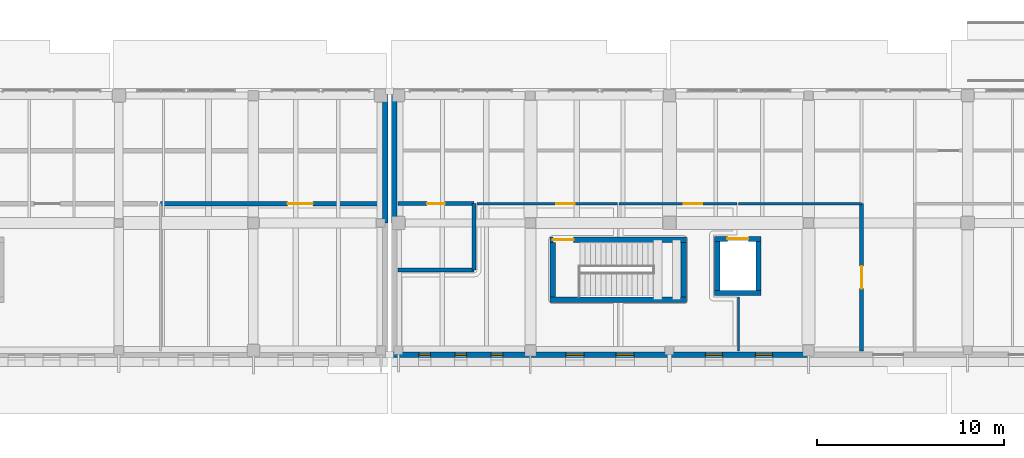
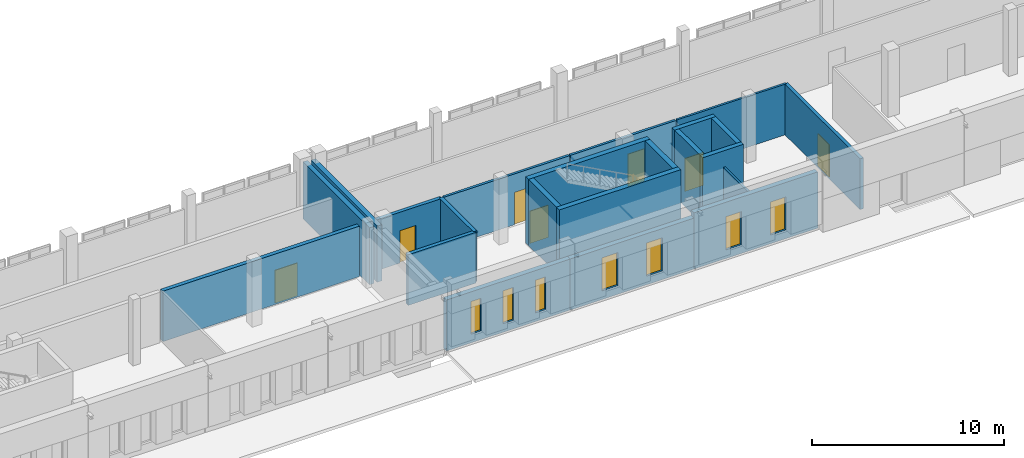
# One storey, part 54 of 77: 22 walls, 7 doors, 7 windows, 14 openings.
"""IFC4 building model written with IfcOpenShell, lengths in metres."""

from ifc_helpers import new_model, si_unit, direction, frame, frame_2d, origin, place, context, subcontext, project, spatial, rectangle, extrude, material, layer, layer_set, type_object, element, fill, save


model = new_model("IFC4")

# Units and contexts
model_context = context("Model", 3, precision=1e-05, world=origin(), true_north=direction((0.0, 1.0)))
body_context = subcontext(model_context, "Body", "Model", "MODEL_VIEW")
ifc_project = project(units=[si_unit("LENGTHUNIT", "METRE"), si_unit("AREAUNIT", "SQUARE_METRE"), si_unit("VOLUMEUNIT", "CUBIC_METRE"), si_unit("PLANEANGLEUNIT", "RADIAN"), si_unit("MASSUNIT", "GRAM", prefix="KILO")], contexts=[model_context])

# Site, building, storey
site_placement = place(None, origin())
site = spatial("IfcSite", under=ifc_project, at=site_placement, CompositionType="ELEMENT")
building_placement = place(site_placement, origin())
building = spatial("IfcBuilding", under=site, at=building_placement, Name="Vardoun Plaza Health Centre", CompositionType="ELEMENT")
storey_placement = place(building_placement, origin())
storey = spatial("IfcBuildingStorey", under=building, at=storey_placement, Name="L00", CompositionType="ELEMENT", Elevation=0.0)

# Walls
ifc_material_1 = material(Name="Concrete C40/50", Category="concrete")
ifc_layer_1 = layer(ifc_material_1, 0.27001953125)
ifc_layer_set_1 = layer_set([ifc_layer_1], Name="Concrete C40/50")
wall_type_1 = type_object("IfcWallType", Name="SW-03", PredefinedType="SHEAR", material=ifc_layer_set_1)
wall_1_placement = place(storey_placement, frame((125.43505859375, 7.949951171875, 0.0), z_axis=(0.0, 0.0, 1.0), x_axis=(-1.0, 0.0, 0.0)))
element("IfcWall", 1, at=wall_1_placement, inside=storey, type_object=wall_type_1, Name="Lift LP-04 L00 Shaft Wall S", PredefinedType="SHEAR", context=body_context, shape_type="SweptSolid", body=[
    extrude(rectangle(XDim=2.469970703125, YDim=0.27001953125, at=frame_2d((1.23486328125, 0.0))), origin(), (0.0, 0.0, 1.0), 4.205078125),
])
wall_2_placement = place(storey_placement, frame((123.10009765625, 8.0849609375, 0.0), z_axis=(0.0, 0.0, 1.0), x_axis=(0.0, 1.0, 0.0)))
element("IfcWall", 2, at=wall_2_placement, inside=storey, type_object=wall_type_1, Name="Lift LP-04 L00 Shaft Wall W", PredefinedType="SHEAR", context=body_context, shape_type="SweptSolid", body=[
    extrude(rectangle(XDim=2.630126953125, YDim=0.27001953125, at=frame_2d((1.31494140625, 0.0))), origin(), (0.0, 0.0, 1.0), 4.205078125),
])

# Wall, opening, door
wall_3_placement = place(storey_placement, frame((122.965087890625, 10.85009765625, 0.0), z_axis=(0.0, 0.0, 1.0), x_axis=(1.0, 0.0, 0.0)))
wall_3 = element("IfcWall", 3, at=wall_3_placement, inside=storey, type_object=wall_type_1, Name="Lift LP-04 L00 Shaft Wall N", PredefinedType="SHEAR", context=body_context, shape_type="SweptSolid", body=[
    extrude(rectangle(XDim=2.469970703125, YDim=0.27001953125, at=frame_2d((1.23486328125, 0.0))), origin(), (0.0, 0.0, 1.0), 4.205078125),
])
opening_1_placement = place(wall_3_placement, frame((0.675048828125, 0.0, 0.0)))
opening_1 = element("IfcOpeningElement", 4, at=opening_1_placement, cuts=wall_3, Name="Opening LD-LP-04-L00", PredefinedType="OPENING", context=body_context, shape_type="SweptSolid", body=[
    extrude(rectangle(XDim=1.1201171875, YDim=2.10009765625, at=frame_2d((0.56005859375, 1.050048828125))), frame((0.0, 0.135009765625, 0.0), z_axis=(0.0, -1.0, 0.0), x_axis=(1.0, 0.0, 0.0)), (0.0, 0.0, 1.0), 0.27001953125),
])
ifc_material_2 = material(Name="Brushed Stainless Steel Grade 316L", Category="steel")
door_type_1 = type_object("IfcDoorType", Name="LD-01", OperationType="DOUBLE_DOOR_SLIDING", PredefinedType="DOOR", material=ifc_material_2)
door_1_placement = place(opening_1_placement, origin())
door_1 = element("IfcDoor", 5, at=door_1_placement, inside=storey, type_object=door_type_1, Name="Lift LP-04 L00 Sliding Landing Door", OperationType="DOUBLE_DOOR_SLIDING", OverallHeight=2.10009765625, OverallWidth=1.1201171875, PredefinedType="DOOR", context=body_context, shape_type="SweptSolid", body=[
    extrude(rectangle(XDim=1.1201171875, YDim=2.10009765625, at=frame_2d((0.56005859375, 1.050048828125))), frame((0.0, 0.02490234375, 0.0), z_axis=(0.0, -1.0, 0.0), x_axis=(1.0, 0.0, 0.0)), (0.0, 0.0, 1.0), 0.050048828125),
])
fill(opening_1, door_1)

# Walls
wall_4_placement = place(storey_placement, frame((125.300048828125, 10.715087890625, 0.0), z_axis=(0.0, 0.0, 1.0), x_axis=(0.0, -1.0, 0.0)))
element("IfcWall", 6, at=wall_4_placement, inside=storey, type_object=wall_type_1, Name="Lift LP-04 L00 Shaft Wall E", PredefinedType="SHEAR", context=body_context, shape_type="SweptSolid", body=[
    extrude(rectangle(XDim=2.630126953125, YDim=0.27001953125, at=frame_2d((1.31494140625, 0.0))), origin(), (0.0, 0.0, 1.0), 4.205078125),
])
ifc_material_3 = material(Name="Concrete C40/50", Category="concrete")
ifc_layer_2 = layer(ifc_material_3, 0.300048828125)
ifc_layer_set_2 = layer_set([ifc_layer_2], Name="Concrete C40/50")
wall_type_2 = type_object("IfcWallType", Name="SW-01", PredefinedType="SHEAR", material=ifc_layer_set_2)
wall_5_placement = place(storey_placement, frame((121.449951171875, 7.60009765625, 0.0), z_axis=(0.0, 0.0, 1.0), x_axis=(-1.0, 0.0, 0.0)))
element("IfcWall", 7, at=wall_5_placement, inside=storey, type_object=wall_type_2, Name="Core C8 L00 Shear Wall S", PredefinedType="SHEAR", context=body_context, shape_type="SweptSolid", body=[
    extrude(rectangle(XDim=7.300048828125, YDim=0.300048828125, at=frame_2d((3.64990234375, 0.0))), origin(), (0.0, 0.0, 1.0), 4.205078125),
])
wall_6_placement = place(storey_placement, frame((114.300048828125, 7.75, 0.0), z_axis=(0.0, 0.0, 1.0), x_axis=(0.0, 1.0, 0.0)))
element("IfcWall", 8, at=wall_6_placement, inside=storey, type_object=wall_type_2, Name="Core C8 L00 Shear Wall W", PredefinedType="SHEAR", context=body_context, shape_type="SweptSolid", body=[
    extrude(rectangle(XDim=2.89990234375, YDim=0.300048828125, at=frame_2d((1.449951171875, 0.0))), origin(), (0.0, 0.0, 1.0), 4.205078125),
])

# Wall, opening, door
wall_7_placement = place(storey_placement, frame((114.14990234375, 10.800048828125, 0.0), z_axis=(0.0, 0.0, 1.0), x_axis=(1.0, 0.0, 0.0)))
wall_7 = element("IfcWall", 9, at=wall_7_placement, inside=storey, type_object=wall_type_2, Name="Core C8 L00 Shear Wall N", PredefinedType="SHEAR", context=body_context, shape_type="SweptSolid", body=[
    extrude(rectangle(XDim=7.300048828125, YDim=0.300048828125, at=frame_2d((3.64990234375, 0.0))), origin(), (0.0, 0.0, 1.0), 4.205078125),
])
opening_2_placement = place(wall_7_placement, frame((0.159912109375, 0.0, 0.0)))
opening_2 = element("IfcOpeningElement", 10, at=opening_2_placement, cuts=wall_7, Name="Opening SD-C8-L00", PredefinedType="OPENING", context=body_context, shape_type="SweptSolid", body=[
    extrude(rectangle(XDim=1.10009765625, YDim=2.050048828125, at=frame_2d((0.550048828125, 1.02490234375))), frame((0.0, 0.14990234375, 0.0), z_axis=(0.0, -1.0, 0.0), x_axis=(1.0, 0.0, 0.0)), (0.0, 0.0, 1.0), 0.300048828125),
])
ifc_material_4 = material(Name="Brushed Stainless Steel Grade 316L", Category="steel")
door_type_2 = type_object("IfcDoorType", Name="FD-01", OperationType="NOTDEFINED", PredefinedType="DOOR", material=ifc_material_4)
door_2_placement = place(opening_2_placement, origin())
door_2 = element("IfcDoor", 11, at=door_2_placement, inside=storey, type_object=door_type_2, Name="Stair C8 L00 Fire Door", OperationType="SINGLE_SWING_RIGHT", OverallHeight=2.050048828125, OverallWidth=1.10009765625, PredefinedType="DOOR", context=body_context, shape_type="SweptSolid", body=[
    extrude(rectangle(XDim=1.10009765625, YDim=2.050048828125, at=frame_2d((0.550048828125, 1.02490234375))), frame((0.0, 0.02490234375, 0.0), z_axis=(0.0, -1.0, 0.0), x_axis=(1.0, 0.0, 0.0)), (0.0, 0.0, 1.0), 0.050048828125),
])
fill(opening_2, door_2)

# Walls
wall_8_placement = place(storey_placement, frame((121.300048828125, 10.64990234375, 0.0), z_axis=(0.0, 0.0, 1.0), x_axis=(0.0, -1.0, 0.0)))
element("IfcWall", 12, at=wall_8_placement, inside=storey, type_object=wall_type_2, Name="Core C8 L00 Shear Wall E", PredefinedType="SHEAR", context=body_context, shape_type="SweptSolid", body=[
    extrude(rectangle(XDim=2.89990234375, YDim=0.300048828125, at=frame_2d((1.449951171875, 0.0))), origin(), (0.0, 0.0, 1.0), 4.205078125),
])
ifc_material_5 = material(Name="Pale Limestone Concrete C35/45", Category="masonry")
ifc_layer_3 = layer(ifc_material_5, 0.280029296875)
ifc_layer_set_3 = layer_set([ifc_layer_3], Name="Pale Limestone Concrete C35/45")
wall_type_3 = type_object("IfcWallType", Name="EW-05", PredefinedType="STANDARD", material=ifc_layer_set_3)
wall_9_placement = place(storey_placement, frame((105.340087890625, 18.6201171875, 0.0), z_axis=(0.0, 0.0, 1.0), x_axis=(0.0, -1.0, 0.0)))
element("IfcWall", 13, at=wall_9_placement, inside=storey, type_object=wall_type_3, Name="V4 L00 Exterior Wall EW-V4-324", PredefinedType="STANDARD", context=body_context, shape_type="SweptSolid", body=[
    extrude(rectangle(XDim=6.920166015625, YDim=0.280029296875, at=frame_2d((3.4599609375, 0.0))), origin(), (0.0, 0.0, 1.0), 3.6201171875),
])

# Wall, openings, windows
ifc_material_6 = material(Name="Pale Limestone Concrete C35/45", Category="masonry")
ifc_layer_4 = layer(ifc_material_6, 0.294921875)
ifc_layer_set_4 = layer_set([ifc_layer_4], Name="Pale Limestone Concrete C35/45")
wall_type_4 = type_object("IfcWallType", Name="EW-04", PredefinedType="STANDARD", material=ifc_layer_set_4)
wall_10_placement = place(storey_placement, frame((127.97998046875, 4.6474609375, 0.0), z_axis=(0.0, 0.0, 1.0), x_axis=(-1.0, 0.0, 0.0)))
wall_10 = element("IfcWall", 14, at=wall_10_placement, inside=storey, type_object=wall_type_4, Name="V5 L00 Exterior Wall EW-V5-375", PredefinedType="STANDARD", context=body_context, shape_type="SweptSolid", body=[
    extrude(rectangle(XDim=7.43994140625, YDim=0.294921875, at=frame_2d((3.719970703125, 0.0))), origin(), (0.0, 0.0, 1.0), 3.570068359375),
])
opening_3_placement = place(wall_10_placement, frame((1.9208984375, 0.0, 0.550048828125)))
opening_3 = element("IfcOpeningElement", 15, at=opening_3_placement, cuts=wall_10, Name="Opening W-19-008", PredefinedType="OPENING", context=body_context, shape_type="SweptSolid", body=[
    extrude(rectangle(XDim=0.919921875, YDim=2.10009765625, at=frame_2d((0.4599609375, 1.050048828125))), frame((0.0, 0.1474609375, 0.0), z_axis=(0.0, -1.0, 0.0), x_axis=(1.0, 0.0, 0.0)), (0.0, 0.0, 1.0), 0.294921875),
])
opening_4_placement = place(wall_10_placement, frame((4.59912109375, 0.0, 0.550048828125)))
opening_4 = element("IfcOpeningElement", 16, at=opening_4_placement, cuts=wall_10, Name="Opening W-19-009", PredefinedType="OPENING", context=body_context, shape_type="SweptSolid", body=[
    extrude(rectangle(XDim=0.919921875, YDim=2.10009765625, at=frame_2d((0.4599609375, 1.050048828125))), frame((0.0, 0.1474609375, 0.0), z_axis=(0.0, -1.0, 0.0), x_axis=(1.0, 0.0, 0.0)), (0.0, 0.0, 1.0), 0.294921875),
])
ifc_material_7 = material(Name="Aluminium Alloy EN AW-6063-T6 and Low-E Glass", Category="aluminium")
window_type_1 = type_object("IfcWindowType", Name="W-19", PartitioningType="DOUBLE_PANEL_VERTICAL", PredefinedType="WINDOW", material=ifc_material_7)
window_1_placement = place(opening_3_placement, origin())
window_1 = element("IfcWindow", 17, at=window_1_placement, inside=storey, type_object=window_type_1, Name="V5 L00 Deep-Punched Slot Window W-19-560", OverallHeight=2.10009765625, OverallWidth=0.919921875, PartitioningType="DOUBLE_PANEL_VERTICAL", PredefinedType="WINDOW", context=body_context, shape_type="SweptSolid", body=[
    extrude(rectangle(XDim=0.919921875, YDim=2.10009765625, at=frame_2d((0.4599609375, 1.050048828125))), frame((0.0, 0.030029296875, 0.0), z_axis=(0.0, -1.0, 0.0), x_axis=(1.0, 0.0, 0.0)), (0.0, 0.0, 1.0), 0.06005859375),
])
fill(opening_3, window_1)
window_2_placement = place(opening_4_placement, origin())
window_2 = element("IfcWindow", 18, at=window_2_placement, inside=storey, type_object=window_type_1, Name="V5 L00 Deep-Punched Slot Window W-19-561", OverallHeight=2.10009765625, OverallWidth=0.919921875, PartitioningType="DOUBLE_PANEL_VERTICAL", PredefinedType="WINDOW", context=body_context, shape_type="SweptSolid", body=[
    extrude(rectangle(XDim=0.919921875, YDim=2.10009765625, at=frame_2d((0.4599609375, 1.050048828125))), frame((0.0, 0.030029296875, 0.0), z_axis=(0.0, -1.0, 0.0), x_axis=(1.0, 0.0, 0.0)), (0.0, 0.0, 1.0), 0.06005859375),
])
fill(opening_4, window_2)

wall_11_placement = place(storey_placement, frame((120.5400390625, 4.6474609375, 0.0), z_axis=(0.0, 0.0, 1.0), x_axis=(-1.0, 0.0, 0.0)))
wall_11 = element("IfcWall", 19, at=wall_11_placement, inside=storey, type_object=wall_type_4, Name="V5 L00 Exterior Wall EW-V5-376", PredefinedType="STANDARD", context=body_context, shape_type="SweptSolid", body=[
    extrude(rectangle(XDim=7.43994140625, YDim=0.294921875, at=frame_2d((3.719970703125, 0.0))), origin(), (0.0, 0.0, 1.0), 3.239990234375),
])
opening_5_placement = place(wall_11_placement, frame((1.90087890625, 0.0, 0.550048828125)))
opening_5 = element("IfcOpeningElement", 20, at=opening_5_placement, cuts=wall_11, Name="Opening W-20-008", PredefinedType="OPENING", context=body_context, shape_type="SweptSolid", body=[
    extrude(rectangle(XDim=0.9599609375, YDim=2.10009765625, at=frame_2d((0.47998046875, 1.050048828125))), frame((0.0, 0.1474609375, 0.0), z_axis=(0.0, -1.0, 0.0), x_axis=(1.0, 0.0, 0.0)), (0.0, 0.0, 1.0), 0.294921875),
])
opening_6_placement = place(wall_11_placement, frame((4.5791015625, 0.0, 0.550048828125)))
opening_6 = element("IfcOpeningElement", 21, at=opening_6_placement, cuts=wall_11, Name="Opening W-20-009", PredefinedType="OPENING", context=body_context, shape_type="SweptSolid", body=[
    extrude(rectangle(XDim=0.9599609375, YDim=2.10009765625, at=frame_2d((0.47998046875, 1.050048828125))), frame((0.0, 0.1474609375, 0.0), z_axis=(0.0, -1.0, 0.0), x_axis=(1.0, 0.0, 0.0)), (0.0, 0.0, 1.0), 0.294921875),
])
ifc_material_8 = material(Name="Aluminium Alloy EN AW-6063-T6 and Low-E Glass", Category="aluminium")
window_type_2 = type_object("IfcWindowType", Name="W-20", PartitioningType="DOUBLE_PANEL_VERTICAL", PredefinedType="WINDOW", material=ifc_material_8)
window_3_placement = place(opening_5_placement, origin())
window_3 = element("IfcWindow", 22, at=window_3_placement, inside=storey, type_object=window_type_2, Name="V5 L00 Deep-Punched Slot Window W-20-562", OverallHeight=2.10009765625, OverallWidth=0.9599609375, PartitioningType="DOUBLE_PANEL_VERTICAL", PredefinedType="WINDOW", context=body_context, shape_type="SweptSolid", body=[
    extrude(rectangle(XDim=0.9599609375, YDim=2.10009765625, at=frame_2d((0.47998046875, 1.050048828125))), frame((0.0, 0.030029296875, 0.0), z_axis=(0.0, -1.0, 0.0), x_axis=(1.0, 0.0, 0.0)), (0.0, 0.0, 1.0), 0.06005859375),
])
fill(opening_5, window_3)
window_4_placement = place(opening_6_placement, origin())
window_4 = element("IfcWindow", 23, at=window_4_placement, inside=storey, type_object=window_type_2, Name="V5 L00 Deep-Punched Slot Window W-20-563", OverallHeight=2.10009765625, OverallWidth=0.9599609375, PartitioningType="DOUBLE_PANEL_VERTICAL", PredefinedType="WINDOW", context=body_context, shape_type="SweptSolid", body=[
    extrude(rectangle(XDim=0.9599609375, YDim=2.10009765625, at=frame_2d((0.47998046875, 1.050048828125))), frame((0.0, 0.030029296875, 0.0), z_axis=(0.0, -1.0, 0.0), x_axis=(1.0, 0.0, 0.0)), (0.0, 0.0, 1.0), 0.06005859375),
])
fill(opening_6, window_4)

wall_12_placement = place(storey_placement, frame((113.10009765625, 4.6474609375, 0.0), z_axis=(0.0, 0.0, 1.0), x_axis=(-1.0, 0.0, 0.0)))
wall_12 = element("IfcWall", 24, at=wall_12_placement, inside=storey, type_object=wall_type_4, Name="V5 L00 Exterior Wall EW-V5-377", PredefinedType="STANDARD", context=body_context, shape_type="SweptSolid", body=[
    extrude(rectangle(XDim=7.440185546875, YDim=0.294921875, at=frame_2d((3.72021484375, 0.0))), origin(), (0.0, 0.0, 1.0), 3.239990234375),
])
opening_7_placement = place(wall_12_placement, frame((1.4755859375, 0.0, 0.550048828125)))
opening_7 = element("IfcOpeningElement", 25, at=opening_7_placement, cuts=wall_12, Name="Opening W-21-014", PredefinedType="OPENING", context=body_context, shape_type="SweptSolid", body=[
    extrude(rectangle(XDim=0.6201171875, YDim=2.080078125, at=frame_2d((0.31005859375, 1.0400390625))), frame((0.0, 0.1474609375, 0.0), z_axis=(0.0, -1.0, 0.0), x_axis=(1.0, 0.0, 0.0)), (0.0, 0.0, 1.0), 0.294921875),
])
opening_8_placement = place(wall_12_placement, frame((3.409912109375, 0.0, 0.550048828125)))
opening_8 = element("IfcOpeningElement", 26, at=opening_8_placement, cuts=wall_12, Name="Opening W-21-015", PredefinedType="OPENING", context=body_context, shape_type="SweptSolid", body=[
    extrude(rectangle(XDim=0.6201171875, YDim=2.080078125, at=frame_2d((0.31005859375, 1.0400390625))), frame((0.0, 0.1474609375, 0.0), z_axis=(0.0, -1.0, 0.0), x_axis=(1.0, 0.0, 0.0)), (0.0, 0.0, 1.0), 0.294921875),
])
opening_9_placement = place(wall_12_placement, frame((5.344482421875, 0.0, 0.550048828125)))
opening_9 = element("IfcOpeningElement", 27, at=opening_9_placement, cuts=wall_12, Name="Opening W-21-016", PredefinedType="OPENING", context=body_context, shape_type="SweptSolid", body=[
    extrude(rectangle(XDim=0.6201171875, YDim=2.080078125, at=frame_2d((0.31005859375, 1.0400390625))), frame((0.0, 0.1474609375, 0.0), z_axis=(0.0, -1.0, 0.0), x_axis=(1.0, 0.0, 0.0)), (0.0, 0.0, 1.0), 0.294921875),
])
ifc_material_9 = material(Name="Aluminium Alloy EN AW-6063-T6 and Low-E Glass", Category="aluminium")
window_type_3 = type_object("IfcWindowType", Name="W-21", PartitioningType="SINGLE_PANEL", PredefinedType="WINDOW", material=ifc_material_9)
window_5_placement = place(opening_7_placement, origin())
window_5 = element("IfcWindow", 28, at=window_5_placement, inside=storey, type_object=window_type_3, Name="V5 L00 Deep-Punched Slot Window W-21-564", OverallHeight=2.080078125, OverallWidth=0.6201171875, PartitioningType="SINGLE_PANEL", PredefinedType="WINDOW", context=body_context, shape_type="SweptSolid", body=[
    extrude(rectangle(XDim=0.6201171875, YDim=2.080078125, at=frame_2d((0.31005859375, 1.0400390625))), frame((0.0, 0.030029296875, 0.0), z_axis=(0.0, -1.0, 0.0), x_axis=(1.0, 0.0, 0.0)), (0.0, 0.0, 1.0), 0.06005859375),
])
fill(opening_7, window_5)
window_6_placement = place(opening_8_placement, origin())
window_6 = element("IfcWindow", 29, at=window_6_placement, inside=storey, type_object=window_type_3, Name="V5 L00 Deep-Punched Slot Window W-21-565", OverallHeight=2.080078125, OverallWidth=0.6201171875, PartitioningType="SINGLE_PANEL", PredefinedType="WINDOW", context=body_context, shape_type="SweptSolid", body=[
    extrude(rectangle(XDim=0.6201171875, YDim=2.080078125, at=frame_2d((0.31005859375, 1.0400390625))), frame((0.0, 0.030029296875, 0.0), z_axis=(0.0, -1.0, 0.0), x_axis=(1.0, 0.0, 0.0)), (0.0, 0.0, 1.0), 0.06005859375),
])
fill(opening_8, window_6)
window_7_placement = place(opening_9_placement, origin())
window_7 = element("IfcWindow", 30, at=window_7_placement, inside=storey, type_object=window_type_3, Name="V5 L00 Deep-Punched Slot Window W-21-566", OverallHeight=2.080078125, OverallWidth=0.6201171875, PartitioningType="SINGLE_PANEL", PredefinedType="WINDOW", context=body_context, shape_type="SweptSolid", body=[
    extrude(rectangle(XDim=0.6201171875, YDim=2.080078125, at=frame_2d((0.31005859375, 1.0400390625))), frame((0.0, 0.030029296875, 0.0), z_axis=(0.0, -1.0, 0.0), x_axis=(1.0, 0.0, 0.0)), (0.0, 0.0, 1.0), 0.06005859375),
])
fill(opening_9, window_7)

# Wall
wall_13_placement = place(storey_placement, frame((105.8076171875, 11.699951171875, 0.0), z_axis=(0.0, 0.0, 1.0), x_axis=(0.0, 1.0, 0.0)))
element("IfcWall", 31, at=wall_13_placement, inside=storey, type_object=wall_type_4, Name="V5 L00 Exterior Wall EW-V5-379", PredefinedType="STANDARD", context=body_context, shape_type="SweptSolid", body=[
    extrude(rectangle(XDim=6.905029296875, YDim=0.294921875, at=frame_2d((3.45263671875, 0.0))), origin(), (0.0, 0.0, 1.0), 3.570068359375),
])

# Wall, opening, door
ifc_material_10 = material(Name="Acoustic Gypsum Twin-Stud", Category="steel")
ifc_layer_5 = layer(ifc_material_10, 0.14990234375)
ifc_layer_set_5 = layer_set([ifc_layer_5], Name="Acoustic Gypsum Twin-Stud")
wall_type_5 = type_object("IfcWallType", Name="IW-04", PredefinedType="PARTITIONING", material=ifc_layer_set_5)
wall_14_placement = place(storey_placement, frame((110.2333984375, 12.72998046875, 0.0), z_axis=(0.0, 0.0, 1.0), x_axis=(1.0, 0.0, 0.0)))
wall_14 = element("IfcWall", 32, at=wall_14_placement, inside=storey, type_object=wall_type_5, Name="Ambulatory Admissions Waiting Partition Wall", PredefinedType="PARTITIONING", context=body_context, shape_type="SweptSolid", body=[
    extrude(rectangle(XDim=7.526611328125, YDim=0.14990234375, at=frame_2d((3.76318359375, 0.0))), origin(), (0.0, 0.0, 1.0), 3.22509765625),
])
opening_10_placement = place(wall_14_placement, frame((4.2421875, 0.0, 0.0)))
opening_10 = element("IfcOpeningElement", 33, at=opening_10_placement, cuts=wall_14, Name="Opening D-L00-138", PredefinedType="OPENING", context=body_context, shape_type="SweptSolid", body=[
    extrude(rectangle(XDim=1.0, YDim=2.050048828125, at=frame_2d((0.5, 1.02490234375))), frame((0.0, 0.074951171875, 0.0), z_axis=(0.0, -1.0, 0.0), x_axis=(1.0, 0.0, 0.0)), (0.0, 0.0, 1.0), 0.14990234375),
])
ifc_material_11 = material(Name="Antimicrobial Acoustic Timber and Steel S275JR", Category="steel")
door_type_3 = type_object("IfcDoorType", Name="CD-03", OperationType="NOTDEFINED", PredefinedType="DOOR", material=ifc_material_11)
door_3_placement = place(opening_10_placement, origin())
door_3 = element("IfcDoor", 34, at=door_3_placement, inside=storey, type_object=door_type_3, Name="Ambulatory Admissions Waiting Door D-L00-138", OperationType="SINGLE_SWING_RIGHT", OverallHeight=2.050048828125, OverallWidth=1.0, PredefinedType="DOOR", context=body_context, shape_type="SweptSolid", body=[
    extrude(rectangle(XDim=1.0, YDim=2.050048828125, at=frame_2d((0.5, 1.02490234375))), frame((0.0, 0.02490234375, 0.0), z_axis=(0.0, -1.0, 0.0), x_axis=(1.0, 0.0, 0.0)), (0.0, 0.0, 1.0), 0.050048828125),
])
fill(opening_10, door_3)

wall_15_placement = place(storey_placement, frame((117.840087890625, 12.72998046875, 0.0), z_axis=(0.0, 0.0, 1.0), x_axis=(1.0, 0.0, 0.0)))
wall_15 = element("IfcWall", 35, at=wall_15_placement, inside=storey, type_object=wall_type_5, Name="Pre-Operative Assessment Clinic 1 A Partition Wall", PredefinedType="PARTITIONING", context=body_context, shape_type="SweptSolid", body=[
    extrude(rectangle(XDim=6.31982421875, YDim=0.14990234375, at=frame_2d((3.159912109375, 0.0))), origin(), (0.0, 0.0, 1.0), 3.22509765625),
])
opening_11_placement = place(wall_15_placement, frame((3.4580078125, 0.0, 0.0)))
opening_11 = element("IfcOpeningElement", 36, at=opening_11_placement, cuts=wall_15, Name="Opening D-L00-140", PredefinedType="OPENING", context=body_context, shape_type="SweptSolid", body=[
    extrude(rectangle(XDim=1.0, YDim=2.050048828125, at=frame_2d((0.5, 1.02490234375))), frame((0.0, 0.074951171875, 0.0), z_axis=(0.0, -1.0, 0.0), x_axis=(1.0, 0.0, 0.0)), (0.0, 0.0, 1.0), 0.14990234375),
])
door_4_placement = place(opening_11_placement, origin())
door_4 = element("IfcDoor", 37, at=door_4_placement, inside=storey, type_object=door_type_3, Name="Pre-Operative Assessment Clinic 1 A Door D-L00-140", OperationType="SINGLE_SWING_RIGHT", OverallHeight=2.050048828125, OverallWidth=1.0, PredefinedType="DOOR", context=body_context, shape_type="SweptSolid", body=[
    extrude(rectangle(XDim=1.0, YDim=2.050048828125, at=frame_2d((0.5, 1.02490234375))), frame((0.0, 0.02490234375, 0.0), z_axis=(0.0, -1.0, 0.0), x_axis=(1.0, 0.0, 0.0)), (0.0, 0.0, 1.0), 0.050048828125),
])
fill(opening_11, door_4)

# Walls
ifc_material_12 = material(Name="Standard Clinical Sub-Partition", Category="steel")
ifc_layer_6 = layer(ifc_material_12, 0.125)
ifc_layer_set_6 = layer_set([ifc_layer_6], Name="Standard Clinical Sub-Partition")
wall_type_6 = type_object("IfcWallType", Name="IW-11", PredefinedType="PARTITIONING", material=ifc_layer_set_6)
wall_16_placement = place(storey_placement, frame((124.239990234375, 4.85009765625, 0.0), z_axis=(0.0, 0.0, 1.0), x_axis=(0.0, 1.0, 0.0)))
element("IfcWall", 38, at=wall_16_placement, inside=storey, type_object=wall_type_6, Name="Clean Medical Supply Store Enclosure Partition", PredefinedType="PARTITIONING", context=body_context, shape_type="SweptSolid", body=[
    extrude(rectangle(XDim=2.89990234375, YDim=0.125, at=frame_2d((1.449951171875, 0.0))), origin(), (0.0, 0.0, 1.0), 3.22509765625),
])
wall_17_placement = place(storey_placement, frame((124.239990234375, 12.72998046875, 0.0), z_axis=(0.0, 0.0, 1.0), x_axis=(1.0, 0.0, 0.0)))
element("IfcWall", 39, at=wall_17_placement, inside=storey, type_object=wall_type_6, Name="Clean Medical Supply Store Enclosure Partition", PredefinedType="PARTITIONING", context=body_context, shape_type="SweptSolid", body=[
    extrude(rectangle(XDim=6.580078125, YDim=0.125, at=frame_2d((3.2900390625, 0.0))), origin(), (0.0, 0.0, 1.0), 3.22509765625),
])

# Wall, opening, door
ifc_material_13 = material(Name="Concrete C35/45", Category="concrete")
ifc_layer_7 = layer(ifc_material_13, 0.199951171875)
ifc_layer_set_7 = layer_set([ifc_layer_7], Name="Concrete C35/45")
wall_type_7 = type_object("IfcWallType", Name="IW-01", PredefinedType="SOLIDWALL", material=ifc_layer_set_7)
wall_18_placement = place(storey_placement, frame((130.820068359375, 12.72998046875, 0.0), z_axis=(0.0, 0.0, 1.0), x_axis=(0.0, -1.0, 0.0)))
wall_18 = element("IfcWall", 40, at=wall_18_placement, inside=storey, type_object=wall_type_7, Name="Clean Medical Supply Store Partition Wall", PredefinedType="SOLIDWALL", context=body_context, shape_type="SweptSolid", body=[
    extrude(rectangle(XDim=7.8798828125, YDim=0.199951171875, at=frame_2d((3.93994140625, 0.0))), origin(), (0.0, 0.0, 1.0), 3.22509765625),
])
opening_12_placement = place(wall_18_placement, frame((3.340087890625, 0.0, 0.0)))
opening_12 = element("IfcOpeningElement", 41, at=opening_12_placement, cuts=wall_18, Name="Opening D-L00-139", PredefinedType="OPENING", context=body_context, shape_type="SweptSolid", body=[
    extrude(rectangle(XDim=1.199951171875, YDim=2.050048828125, at=frame_2d((0.60009765625, 1.02490234375))), frame((0.0, 0.10009765625, 0.0), z_axis=(0.0, -1.0, 0.0), x_axis=(1.0, 0.0, 0.0)), (0.0, 0.0, 1.0), 0.199951171875),
])
ifc_material_14 = material(Name="Antimicrobial Acoustic Timber and Steel S275JR", Category="steel")
door_type_4 = type_object("IfcDoorType", Name="FD-04", OperationType="NOTDEFINED", PredefinedType="DOOR", material=ifc_material_14)
door_5_placement = place(opening_12_placement, origin())
door_5 = element("IfcDoor", 42, at=door_5_placement, inside=storey, type_object=door_type_4, Name="Clean Medical Supply Store Door D-L00-139", OperationType="SINGLE_SWING_LEFT", OverallHeight=2.050048828125, OverallWidth=1.199951171875, PredefinedType="DOOR", context=body_context, shape_type="SweptSolid", body=[
    extrude(rectangle(XDim=1.199951171875, YDim=2.050048828125, at=frame_2d((0.60009765625, 1.02490234375))), frame((0.0, 0.02490234375, 0.0), z_axis=(0.0, -1.0, 0.0), x_axis=(1.0, 0.0, 0.0)), (0.0, 0.0, 1.0), 0.050048828125),
])
fill(opening_12, door_5)

ifc_material_15 = material(Name="Moisture-Resistant Plumbing Chase", Category="steel")
ifc_layer_8 = layer(ifc_material_15, 0.215087890625)
ifc_layer_set_8 = layer_set([ifc_layer_8], Name="Moisture-Resistant Plumbing Chase")
wall_type_8 = type_object("IfcWallType", Name="IW-06", PredefinedType="PLUMBINGWALL", material=ifc_layer_set_8)
wall_19_placement = place(storey_placement, frame((106.010009765625, 12.72998046875, 0.0), z_axis=(0.0, 0.0, 1.0), x_axis=(1.0, 0.0, 0.0)))
wall_19 = element("IfcWall", 43, at=wall_19_placement, inside=storey, type_object=wall_type_8, Name="Accessible WC L00-V5 Partition Wall", PredefinedType="PLUMBINGWALL", context=body_context, shape_type="SweptSolid", body=[
    extrude(rectangle(XDim=4.08349609375, YDim=0.215087890625, at=frame_2d((2.041748046875, 0.0))), origin(), (0.0, 0.0, 1.0), 3.22509765625),
])
opening_13_placement = place(wall_19_placement, frame((1.56689453125, 0.0, 0.0)))
opening_13 = element("IfcOpeningElement", 44, at=opening_13_placement, cuts=wall_19, Name="Opening D-L00-134", PredefinedType="OPENING", context=body_context, shape_type="SweptSolid", body=[
    extrude(rectangle(XDim=0.949951171875, YDim=2.050048828125, at=frame_2d((0.47509765625, 1.02490234375))), frame((0.0, 0.107421875, 0.0), z_axis=(0.0, -1.0, 0.0), x_axis=(1.0, 0.0, 0.0)), (0.0, 0.0, 1.0), 0.215087890625),
])
ifc_material_16 = material(Name="Antimicrobial Acoustic Timber and Steel S275JR", Category="steel")
door_type_5 = type_object("IfcDoorType", Name="CD-07", OperationType="NOTDEFINED", PredefinedType="DOOR", material=ifc_material_16)
door_6_placement = place(opening_13_placement, origin())
door_6 = element("IfcDoor", 45, at=door_6_placement, inside=storey, type_object=door_type_5, Name="Accessible WC L00-V5 Door D-L00-134", OperationType="SINGLE_SWING_RIGHT", OverallHeight=2.050048828125, OverallWidth=0.949951171875, PredefinedType="DOOR", context=body_context, shape_type="SweptSolid", body=[
    extrude(rectangle(XDim=0.949951171875, YDim=2.050048828125, at=frame_2d((0.47509765625, 1.02490234375))), frame((0.0, 0.02490234375, 0.0), z_axis=(0.0, -1.0, 0.0), x_axis=(1.0, 0.0, 0.0)), (0.0, 0.0, 1.0), 0.050048828125),
])
fill(opening_13, door_6)

# Walls
wall_20_placement = place(storey_placement, frame((110.093505859375, 12.72998046875, 0.0), z_axis=(0.0, 0.0, 1.0), x_axis=(0.0, -1.0, 0.0)))
element("IfcWall", 46, at=wall_20_placement, inside=storey, type_object=wall_type_8, Name="Accessible WC L00-V5 Enclosure Partition", PredefinedType="PLUMBINGWALL", context=body_context, shape_type="SweptSolid", body=[
    extrude(rectangle(XDim=3.55078125, YDim=0.215087890625, at=frame_2d((1.775390625, 0.0))), origin(), (0.0, 0.0, 1.0), 3.22509765625),
])
wall_21_placement = place(storey_placement, frame((110.093505859375, 9.17919921875, 0.0), z_axis=(0.0, 0.0, 1.0), x_axis=(-1.0, 0.0, 0.0)))
element("IfcWall", 47, at=wall_21_placement, inside=storey, type_object=wall_type_8, Name="Accessible WC L00-V5 Enclosure Partition", PredefinedType="PLUMBINGWALL", context=body_context, shape_type="SweptSolid", body=[
    extrude(rectangle(XDim=4.08349609375, YDim=0.215087890625, at=frame_2d((2.041748046875, 0.0))), origin(), (0.0, 0.0, 1.0), 3.22509765625),
])

# Wall, opening, door
ifc_material_17 = material(Name="Lead-Lined Concrete C35/45", Category="concrete")
ifc_layer_9 = layer(ifc_material_17, 0.239990234375)
ifc_layer_set_9 = layer_set([ifc_layer_9], Name="Lead-Lined Concrete C35/45")
wall_type_9 = type_object("IfcWallType", Name="IW-03", PredefinedType="SOLIDWALL", material=ifc_layer_set_9)
wall_22_placement = place(storey_placement, frame((93.31494140625, 12.72998046875, 0.0), z_axis=(0.0, 0.0, 1.0), x_axis=(1.0, 0.0, 0.0)))
wall_22 = element("IfcWall", 48, at=wall_22_placement, inside=storey, type_object=wall_type_9, Name="Diagnostic Imaging CT Scanner Room Partition Wall", PredefinedType="SOLIDWALL", context=body_context, shape_type="SweptSolid", body=[
    extrude(rectangle(XDim=11.81494140625, YDim=0.239990234375, at=frame_2d((5.907470703125, 0.0))), origin(), (0.0, 0.0, 1.0), 3.205078125),
])
opening_14_placement = place(wall_22_placement, frame((6.80224609375, 0.0, 0.0)))
opening_14 = element("IfcOpeningElement", 49, at=opening_14_placement, cuts=wall_22, Name="Opening D-L00-117", PredefinedType="OPENING", context=body_context, shape_type="SweptSolid", body=[
    extrude(rectangle(XDim=1.35009765625, YDim=2.10009765625, at=frame_2d((0.675048828125, 1.050048828125))), frame((0.0, 0.1201171875, 0.0), z_axis=(0.0, -1.0, 0.0), x_axis=(1.0, 0.0, 0.0)), (0.0, 0.0, 1.0), 0.239990234375),
])
ifc_material_18 = material(Name="Antimicrobial Acoustic Timber and Steel S275JR", Category="steel")
door_type_6 = type_object("IfcDoorType", Name="CD-02", OperationType="NOTDEFINED", PredefinedType="DOOR", material=ifc_material_18)
door_7_placement = place(opening_14_placement, origin())
door_7 = element("IfcDoor", 50, at=door_7_placement, inside=storey, type_object=door_type_6, Name="Diagnostic Imaging CT Scanner Room Door D-L00-117", OperationType="SINGLE_SWING_RIGHT", OverallHeight=2.10009765625, OverallWidth=1.35009765625, PredefinedType="DOOR", context=body_context, shape_type="SweptSolid", body=[
    extrude(rectangle(XDim=1.35009765625, YDim=2.10009765625, at=frame_2d((0.675048828125, 1.050048828125))), frame((0.0, 0.02490234375, 0.0), z_axis=(0.0, -1.0, 0.0), x_axis=(1.0, 0.0, 0.0)), (0.0, 0.0, 1.0), 0.050048828125),
])
fill(opening_14, door_7)

save(model, "model.ifc")
